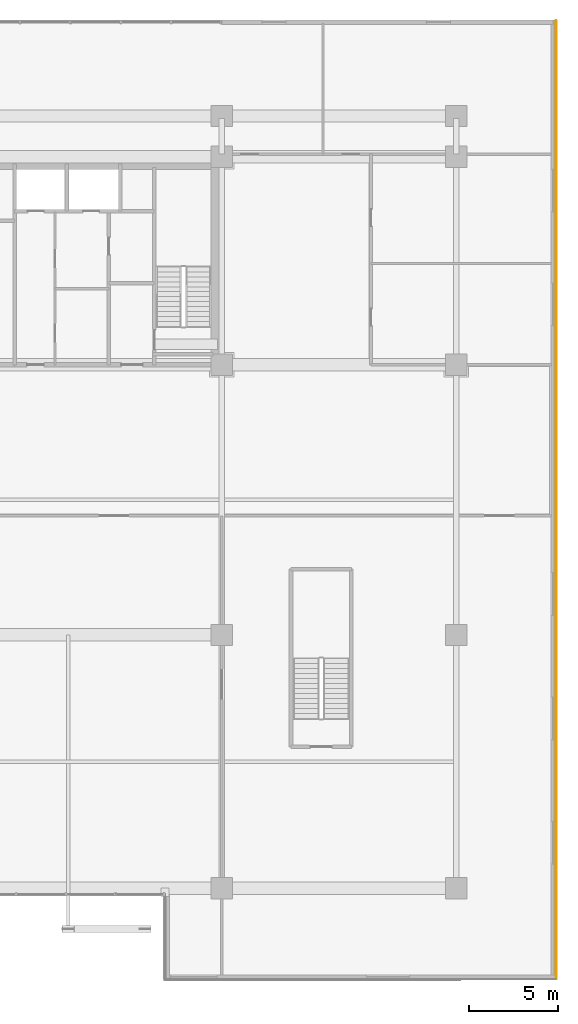
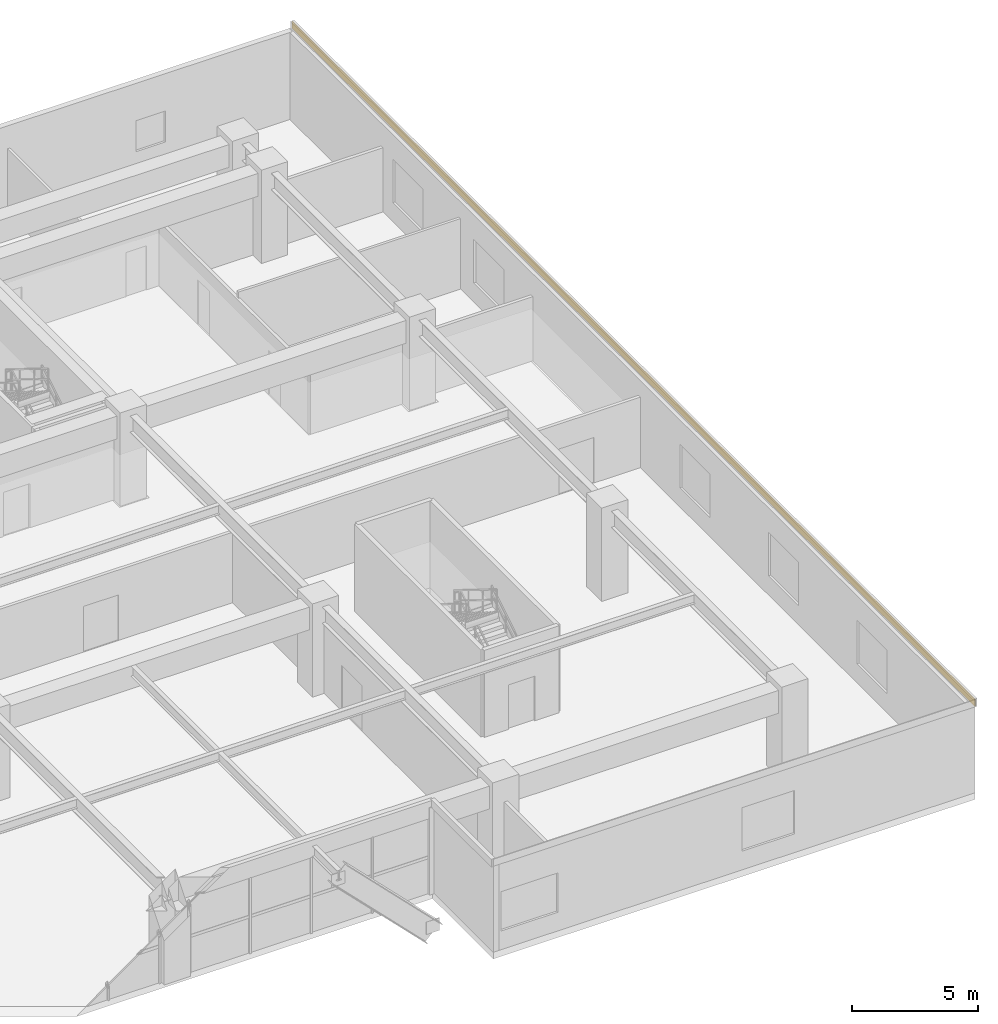
# One storey, part 24 of 24: 1 covering.
"""IFC4 building model written with IfcOpenShell, lengths in metres."""

from ifc_helpers import new_model, si_unit, direction, frame, origin, origin_2d, place, context, subcontext, project, spatial, rectangle, extrude, source, transform, mapped, material, layer, layer_set, type_object, element, save


model = new_model("IFC4")

# Units and contexts
model_context = context("Model", 3, precision=1e-05, world=origin(), true_north=direction((0.0, 1.0)))
body_context = subcontext(model_context, "Body", "Model", "MODEL_VIEW")
ifc_project = project(units=[si_unit("LENGTHUNIT", "METRE"), si_unit("AREAUNIT", "SQUARE_METRE"), si_unit("VOLUMEUNIT", "CUBIC_METRE"), si_unit("PLANEANGLEUNIT", "RADIAN"), si_unit("MASSUNIT", "GRAM", prefix="KILO")], contexts=[model_context])

# Site, building, storey
site_placement = place(None, origin())
site = spatial("IfcSite", under=ifc_project, at=site_placement, CompositionType="ELEMENT")
building_placement = place(site_placement, origin())
building = spatial("IfcBuilding", under=site, at=building_placement, Name="Trelvane Seafront Commons", CompositionType="ELEMENT")
storey_placement = place(building_placement, frame((0.0, 0.0, 5.199951171875)))
storey = spatial("IfcBuildingStorey", under=building, at=storey_placement, Name="L01", CompositionType="ELEMENT", Elevation=5.199951171875)

# Covering
ifc_material = material(Name="Anodised pale-silver aluminium", Category="aluminium")
ifc_layer = layer(ifc_material, 0.034912109375, Name="ARCH-COV-CLAD35")
ifc_layer_set = layer_set([ifc_layer], Name="Anodised pale-silver aluminium")
covering_type = type_object("IfcCoveringType", Name="ARCH-COV-CLAD35", PredefinedType="CLADDING", material=ifc_layer_set)
shared_shape = source(origin(), body_context, "Body", "SweptSolid", [
    extrude(rectangle(XDim=54.0, YDim=0.034912109375, at=origin_2d()), origin(), (0.0, 0.0, 1.0), 0.340087890625),
])
covering_placement = place(storey_placement, frame((77.60009765625, 25.800048828125, 4.16015625), z_axis=(0.0, 0.0, 1.0), x_axis=(0.0, -1.0, 0.0)))
element("IfcCovering", 1, at=covering_placement, inside=storey, type_object=covering_type, Name="CLD-L01-00003", PredefinedType="CLADDING", context=body_context, shape_type="MappedRepresentation", body=[
    mapped(shared_shape, transform((0.0, 0.0, 0.0), x_axis=(1.0, 0.0, 0.0), y_axis=(0.0, 1.0, 0.0), z_axis=(0.0, 0.0, 1.0), scale=1.0)),
])

save(model, "model.ifc")
